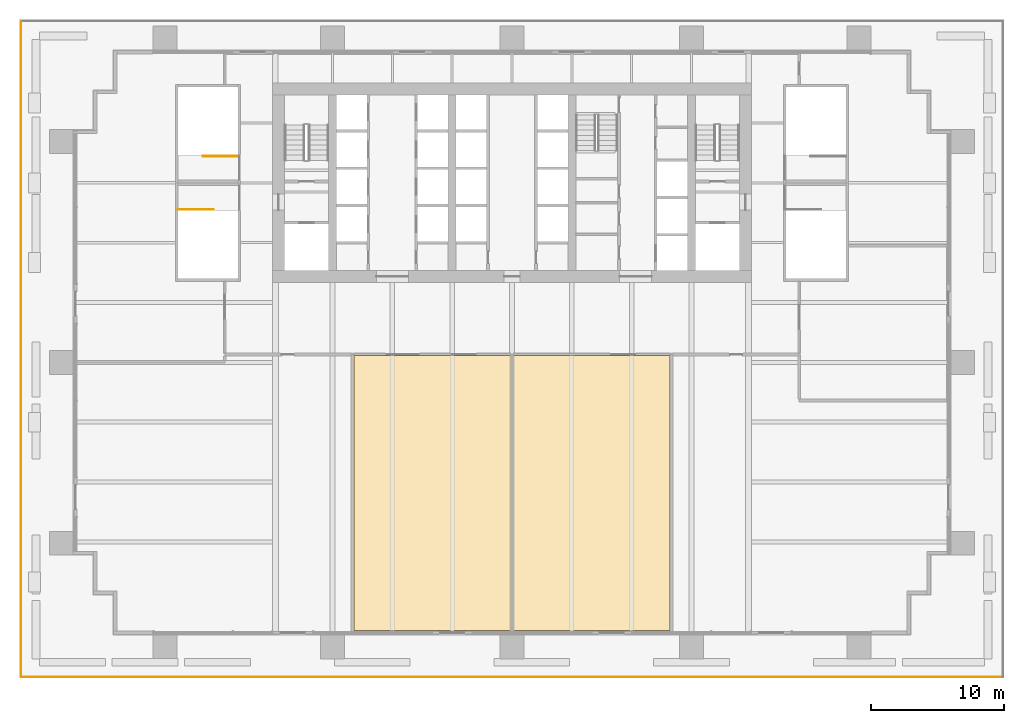
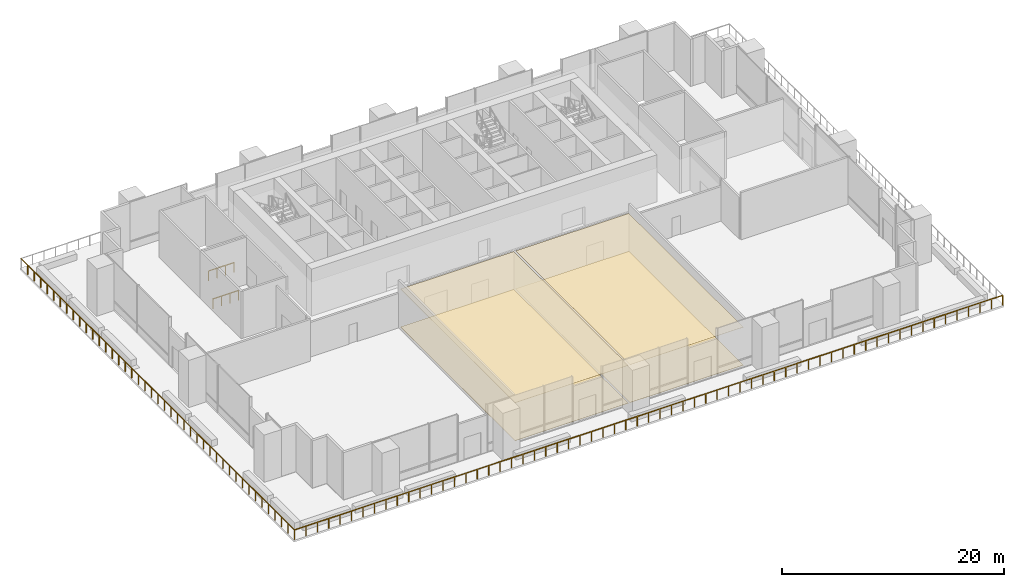
# One storey, part 12 of 16: 4 coverings, 4 railings.
"""IFC4 building model written with IfcOpenShell, lengths in metres."""

from ifc_helpers import new_model, si_unit, direction, frame, origin, origin_2d, place, context, subcontext, project, spatial, polyline, rectangle, outline, extrude, material, layer, layer_set, type_object, element, save


model = new_model("IFC4")

# Units and contexts
model_context = context("Model", 3, precision=1e-05, world=origin(), true_north=direction((0.0, 1.0)))
body_context = subcontext(model_context, "Body", "Model", "MODEL_VIEW")
ifc_project = project(units=[si_unit("LENGTHUNIT", "METRE"), si_unit("AREAUNIT", "SQUARE_METRE"), si_unit("VOLUMEUNIT", "CUBIC_METRE"), si_unit("PLANEANGLEUNIT", "RADIAN"), si_unit("MASSUNIT", "GRAM", prefix="KILO")], contexts=[model_context])

# Site, building, storey
site_placement = place(None, origin())
site = spatial("IfcSite", under=ifc_project, at=site_placement, CompositionType="ELEMENT")
building_placement = place(site_placement, origin())
building = spatial("IfcBuilding", under=site, at=building_placement, Name="Rattan Terrace Tower", CompositionType="ELEMENT")
storey_placement = place(building_placement, frame((0.0, 0.0, 27.0)))
storey = spatial("IfcBuildingStorey", under=building, at=storey_placement, Name="L05", CompositionType="ELEMENT", Elevation=27.0)

# Railings
ifc_material_1 = material(Name="Powder-coated steel guard", Category="steel")
railing_type_1 = type_object("IfcRailingType", Name="Core stair guard", PredefinedType="GUARDRAIL", material=ifc_material_1)
railing_1_placement = place(storey_placement, frame((-25.10009765625, -2.0, 0.0)))
element("IfcRailing", 1, at=railing_1_placement, inside=storey, type_object=railing_type_1, Name="L05 S4 top well guard 1", PredefinedType="GUARDRAIL", context=body_context, shape_type="SweptSolid", body=[
    extrude(rectangle(XDim=0.048095703125, YDim=0.048095703125, at=origin_2d()), frame((0.0, 0.0, 1.076171875), z_axis=(1.0, 0.0, 0.0), x_axis=(0.0, 1.0, 0.0)), (0.0, 0.0, 1.0), 2.650146484375),
    extrude(rectangle(XDim=0.0419921875, YDim=0.0419921875, at=origin_2d()), origin(), (0.0, 0.0, 1.0), 1.052001953125),
    extrude(rectangle(XDim=0.0419921875, YDim=0.0419921875, at=origin_2d()), frame((0.88330078125, 0.0, 0.0)), (0.0, 0.0, 1.0), 1.052001953125),
    extrude(rectangle(XDim=0.0419921875, YDim=0.0419921875, at=origin_2d()), frame((1.766845703125, 0.0, 0.0)), (0.0, 0.0, 1.0), 1.052001953125),
    extrude(rectangle(XDim=0.0419921875, YDim=0.0419921875, at=origin_2d()), frame((2.650146484375, 0.0, 0.0)), (0.0, 0.0, 1.0), 1.052001953125),
])
railing_2_placement = place(storey_placement, frame((-20.60009765625, 2.0, 0.0)))
element("IfcRailing", 2, at=railing_2_placement, inside=storey, type_object=railing_type_1, Name="L05 S5 top well guard 1", PredefinedType="GUARDRAIL", context=body_context, shape_type="SweptSolid", body=[
    extrude(rectangle(XDim=0.048095703125, YDim=0.048095703125, at=origin_2d()), frame((0.0, 0.0, 1.076171875), z_axis=(-1.0, 0.0, 0.0), x_axis=(0.0, -1.0, 0.0)), (0.0, 0.0, 1.0), 2.64990234375),
    extrude(rectangle(XDim=0.0419921875, YDim=0.0419921875, at=origin_2d()), origin(), (0.0, 0.0, 1.0), 1.052001953125),
    extrude(rectangle(XDim=0.0419921875, YDim=0.0419921875, at=origin_2d()), frame((-0.88330078125, 0.0, 0.0)), (0.0, 0.0, 1.0), 1.052001953125),
    extrude(rectangle(XDim=0.0419921875, YDim=0.0419921875, at=origin_2d()), frame((-1.7666015625, 0.0, 0.0)), (0.0, 0.0, 1.0), 1.052001953125),
    extrude(rectangle(XDim=0.0419921875, YDim=0.0419921875, at=origin_2d()), frame((-2.64990234375, 0.0, 0.0)), (0.0, 0.0, 1.0), 1.052001953125),
])
ifc_material_2 = material(Name="Stainless steel 316", Category="steel")
railing_type_2 = type_object("IfcRailingType", Name="Facade Guard 1100", PredefinedType="GUARDRAIL", material=ifc_material_2)
railing_3_placement = place(storey_placement, frame((-36.919921875, -37.169921875, 0.0)))
element("IfcRailing", 3, at=railing_3_placement, inside=storey, type_object=railing_type_2, Name="Terrace guard L05-1-1", PredefinedType="GUARDRAIL", context=body_context, shape_type="SweptSolid", body=[
    extrude(rectangle(XDim=0.048095703125, YDim=0.048095703125, at=origin_2d()), frame((0.0, 0.0, 1.076171875), z_axis=(0.0, 1.0, 0.0), x_axis=(-1.0, 0.0, 0.0)), (0.0, 0.0, 1.0), 49.33984375),
    extrude(rectangle(XDim=0.0419921875, YDim=0.0419921875, at=origin_2d()), origin(), (0.0, 0.0, 1.0), 1.052001953125),
    extrude(rectangle(XDim=0.0419921875, YDim=0.0419921875, at=origin_2d()), frame((0.0, 1.1748046875, 0.0)), (0.0, 0.0, 1.0), 1.052001953125),
    extrude(rectangle(XDim=0.0419921875, YDim=0.0419921875, at=origin_2d()), frame((0.0, 2.349609375, 0.0)), (0.0, 0.0, 1.0), 1.052001953125),
    extrude(rectangle(XDim=0.0419921875, YDim=0.0419921875, at=origin_2d()), frame((0.0, 3.524169921875, 0.0)), (0.0, 0.0, 1.0), 1.052001953125),
    extrude(rectangle(XDim=0.0419921875, YDim=0.0419921875, at=origin_2d()), frame((0.0, 4.698974609375, 0.0)), (0.0, 0.0, 1.0), 1.052001953125),
    extrude(rectangle(XDim=0.0419921875, YDim=0.0419921875, at=origin_2d()), frame((0.0, 5.873779296875, 0.0)), (0.0, 0.0, 1.0), 1.052001953125),
    extrude(rectangle(XDim=0.0419921875, YDim=0.0419921875, at=origin_2d()), frame((0.0, 7.048583984375, 0.0)), (0.0, 0.0, 1.0), 1.052001953125),
    extrude(rectangle(XDim=0.0419921875, YDim=0.0419921875, at=origin_2d()), frame((0.0, 8.223388671875, 0.0)), (0.0, 0.0, 1.0), 1.052001953125),
    extrude(rectangle(XDim=0.0419921875, YDim=0.0419921875, at=origin_2d()), frame((0.0, 9.39794921875, 0.0)), (0.0, 0.0, 1.0), 1.052001953125),
    extrude(rectangle(XDim=0.0419921875, YDim=0.0419921875, at=origin_2d()), frame((0.0, 10.57275390625, 0.0)), (0.0, 0.0, 1.0), 1.052001953125),
    extrude(rectangle(XDim=0.0419921875, YDim=0.0419921875, at=origin_2d()), frame((0.0, 11.74755859375, 0.0)), (0.0, 0.0, 1.0), 1.052001953125),
    extrude(rectangle(XDim=0.0419921875, YDim=0.0419921875, at=origin_2d()), frame((0.0, 12.92236328125, 0.0)), (0.0, 0.0, 1.0), 1.052001953125),
    extrude(rectangle(XDim=0.0419921875, YDim=0.0419921875, at=origin_2d()), frame((0.0, 14.09716796875, 0.0)), (0.0, 0.0, 1.0), 1.052001953125),
    extrude(rectangle(XDim=0.0419921875, YDim=0.0419921875, at=origin_2d()), frame((0.0, 15.27197265625, 0.0)), (0.0, 0.0, 1.0), 1.052001953125),
    extrude(rectangle(XDim=0.0419921875, YDim=0.0419921875, at=origin_2d()), frame((0.0, 16.446533203125, 0.0)), (0.0, 0.0, 1.0), 1.052001953125),
    extrude(rectangle(XDim=0.0419921875, YDim=0.0419921875, at=origin_2d()), frame((0.0, 17.621337890625, 0.0)), (0.0, 0.0, 1.0), 1.052001953125),
    extrude(rectangle(XDim=0.0419921875, YDim=0.0419921875, at=origin_2d()), frame((0.0, 18.796142578125, 0.0)), (0.0, 0.0, 1.0), 1.052001953125),
    extrude(rectangle(XDim=0.0419921875, YDim=0.0419921875, at=origin_2d()), frame((0.0, 19.970947265625, 0.0)), (0.0, 0.0, 1.0), 1.052001953125),
    extrude(rectangle(XDim=0.0419921875, YDim=0.0419921875, at=origin_2d()), frame((0.0, 21.145751953125, 0.0)), (0.0, 0.0, 1.0), 1.052001953125),
    extrude(rectangle(XDim=0.0419921875, YDim=0.0419921875, at=origin_2d()), frame((0.0, 22.3203125, 0.0)), (0.0, 0.0, 1.0), 1.052001953125),
    extrude(rectangle(XDim=0.0419921875, YDim=0.0419921875, at=origin_2d()), frame((0.0, 23.4951171875, 0.0)), (0.0, 0.0, 1.0), 1.052001953125),
    extrude(rectangle(XDim=0.0419921875, YDim=0.0419921875, at=origin_2d()), frame((0.0, 24.669921875, 0.0)), (0.0, 0.0, 1.0), 1.052001953125),
    extrude(rectangle(XDim=0.0419921875, YDim=0.0419921875, at=origin_2d()), frame((0.0, 25.8447265625, 0.0)), (0.0, 0.0, 1.0), 1.052001953125),
    extrude(rectangle(XDim=0.0419921875, YDim=0.0419921875, at=origin_2d()), frame((0.0, 27.01953125, 0.0)), (0.0, 0.0, 1.0), 1.052001953125),
    extrude(rectangle(XDim=0.0419921875, YDim=0.0419921875, at=origin_2d()), frame((0.0, 28.194091796875, 0.0)), (0.0, 0.0, 1.0), 1.052001953125),
    extrude(rectangle(XDim=0.0419921875, YDim=0.0419921875, at=origin_2d()), frame((0.0, 29.368896484375, 0.0)), (0.0, 0.0, 1.0), 1.052001953125),
    extrude(rectangle(XDim=0.0419921875, YDim=0.0419921875, at=origin_2d()), frame((0.0, 30.543701171875, 0.0)), (0.0, 0.0, 1.0), 1.052001953125),
    extrude(rectangle(XDim=0.0419921875, YDim=0.0419921875, at=origin_2d()), frame((0.0, 31.718505859375, 0.0)), (0.0, 0.0, 1.0), 1.052001953125),
    extrude(rectangle(XDim=0.0419921875, YDim=0.0419921875, at=origin_2d()), frame((0.0, 32.893310546875, 0.0)), (0.0, 0.0, 1.0), 1.052001953125),
    extrude(rectangle(XDim=0.0419921875, YDim=0.0419921875, at=origin_2d()), frame((0.0, 34.06787109375, 0.0)), (0.0, 0.0, 1.0), 1.052001953125),
    extrude(rectangle(XDim=0.0419921875, YDim=0.0419921875, at=origin_2d()), frame((0.0, 35.24267578125, 0.0)), (0.0, 0.0, 1.0), 1.052001953125),
    extrude(rectangle(XDim=0.0419921875, YDim=0.0419921875, at=origin_2d()), frame((0.0, 36.41748046875, 0.0)), (0.0, 0.0, 1.0), 1.052001953125),
    extrude(rectangle(XDim=0.0419921875, YDim=0.0419921875, at=origin_2d()), frame((0.0, 37.59228515625, 0.0)), (0.0, 0.0, 1.0), 1.052001953125),
    extrude(rectangle(XDim=0.0419921875, YDim=0.0419921875, at=origin_2d()), frame((0.0, 38.76708984375, 0.0)), (0.0, 0.0, 1.0), 1.052001953125),
    extrude(rectangle(XDim=0.0419921875, YDim=0.0419921875, at=origin_2d()), frame((0.0, 39.94189453125, 0.0)), (0.0, 0.0, 1.0), 1.052001953125),
    extrude(rectangle(XDim=0.0419921875, YDim=0.0419921875, at=origin_2d()), frame((0.0, 41.116455078125, 0.0)), (0.0, 0.0, 1.0), 1.052001953125),
    extrude(rectangle(XDim=0.0419921875, YDim=0.0419921875, at=origin_2d()), frame((0.0, 42.291259765625, 0.0)), (0.0, 0.0, 1.0), 1.052001953125),
    extrude(rectangle(XDim=0.0419921875, YDim=0.0419921875, at=origin_2d()), frame((0.0, 43.466064453125, 0.0)), (0.0, 0.0, 1.0), 1.052001953125),
    extrude(rectangle(XDim=0.0419921875, YDim=0.0419921875, at=origin_2d()), frame((0.0, 44.640869140625, 0.0)), (0.0, 0.0, 1.0), 1.052001953125),
    extrude(rectangle(XDim=0.0419921875, YDim=0.0419921875, at=origin_2d()), frame((0.0, 45.815673828125, 0.0)), (0.0, 0.0, 1.0), 1.052001953125),
    extrude(rectangle(XDim=0.0419921875, YDim=0.0419921875, at=origin_2d()), frame((0.0, 46.990234375, 0.0)), (0.0, 0.0, 1.0), 1.052001953125),
    extrude(rectangle(XDim=0.0419921875, YDim=0.0419921875, at=origin_2d()), frame((0.0, 48.1650390625, 0.0)), (0.0, 0.0, 1.0), 1.052001953125),
])
railing_4_placement = place(storey_placement, frame((36.919921875, -37.169921875, 0.0)))
element("IfcRailing", 4, at=railing_4_placement, inside=storey, type_object=railing_type_2, Name="Terrace guard L05-1-4", PredefinedType="GUARDRAIL", context=body_context, shape_type="SweptSolid", body=[
    extrude(rectangle(XDim=0.048095703125, YDim=0.048095703125, at=origin_2d()), frame((0.0, 0.0, 1.076171875), z_axis=(-1.0, 0.0, 0.0), x_axis=(0.0, -1.0, 0.0)), (0.0, 0.0, 1.0), 73.83984375),
    extrude(rectangle(XDim=0.0419921875, YDim=0.0419921875, at=origin_2d()), origin(), (0.0, 0.0, 1.0), 1.052001953125),
    extrude(rectangle(XDim=0.0419921875, YDim=0.0419921875, at=origin_2d()), frame((-1.19091796875, 0.0, 0.0)), (0.0, 0.0, 1.0), 1.052001953125),
    extrude(rectangle(XDim=0.0419921875, YDim=0.0419921875, at=origin_2d()), frame((-2.3818359375, 0.0, 0.0)), (0.0, 0.0, 1.0), 1.052001953125),
    extrude(rectangle(XDim=0.0419921875, YDim=0.0419921875, at=origin_2d()), frame((-3.572998046875, 0.0, 0.0)), (0.0, 0.0, 1.0), 1.052001953125),
    extrude(rectangle(XDim=0.0419921875, YDim=0.0419921875, at=origin_2d()), frame((-4.763916015625, 0.0, 0.0)), (0.0, 0.0, 1.0), 1.052001953125),
    extrude(rectangle(XDim=0.0419921875, YDim=0.0419921875, at=origin_2d()), frame((-5.954833984375, 0.0, 0.0)), (0.0, 0.0, 1.0), 1.052001953125),
    extrude(rectangle(XDim=0.0419921875, YDim=0.0419921875, at=origin_2d()), frame((-7.145751953125, 0.0, 0.0)), (0.0, 0.0, 1.0), 1.052001953125),
    extrude(rectangle(XDim=0.0419921875, YDim=0.0419921875, at=origin_2d()), frame((-8.336669921875, 0.0, 0.0)), (0.0, 0.0, 1.0), 1.052001953125),
    extrude(rectangle(XDim=0.0419921875, YDim=0.0419921875, at=origin_2d()), frame((-9.52783203125, 0.0, 0.0)), (0.0, 0.0, 1.0), 1.052001953125),
    extrude(rectangle(XDim=0.0419921875, YDim=0.0419921875, at=origin_2d()), frame((-10.71875, 0.0, 0.0)), (0.0, 0.0, 1.0), 1.052001953125),
    extrude(rectangle(XDim=0.0419921875, YDim=0.0419921875, at=origin_2d()), frame((-11.90966796875, 0.0, 0.0)), (0.0, 0.0, 1.0), 1.052001953125),
    extrude(rectangle(XDim=0.0419921875, YDim=0.0419921875, at=origin_2d()), frame((-13.1005859375, 0.0, 0.0)), (0.0, 0.0, 1.0), 1.052001953125),
    extrude(rectangle(XDim=0.0419921875, YDim=0.0419921875, at=origin_2d()), frame((-14.29150390625, 0.0, 0.0)), (0.0, 0.0, 1.0), 1.052001953125),
    extrude(rectangle(XDim=0.0419921875, YDim=0.0419921875, at=origin_2d()), frame((-15.482666015625, 0.0, 0.0)), (0.0, 0.0, 1.0), 1.052001953125),
    extrude(rectangle(XDim=0.0419921875, YDim=0.0419921875, at=origin_2d()), frame((-16.673583984375, 0.0, 0.0)), (0.0, 0.0, 1.0), 1.052001953125),
    extrude(rectangle(XDim=0.0419921875, YDim=0.0419921875, at=origin_2d()), frame((-17.864501953125, 0.0, 0.0)), (0.0, 0.0, 1.0), 1.052001953125),
    extrude(rectangle(XDim=0.0419921875, YDim=0.0419921875, at=origin_2d()), frame((-19.055419921875, 0.0, 0.0)), (0.0, 0.0, 1.0), 1.052001953125),
    extrude(rectangle(XDim=0.0419921875, YDim=0.0419921875, at=origin_2d()), frame((-20.246337890625, 0.0, 0.0)), (0.0, 0.0, 1.0), 1.052001953125),
    extrude(rectangle(XDim=0.0419921875, YDim=0.0419921875, at=origin_2d()), frame((-21.437255859375, 0.0, 0.0)), (0.0, 0.0, 1.0), 1.052001953125),
    extrude(rectangle(XDim=0.0419921875, YDim=0.0419921875, at=origin_2d()), frame((-22.62841796875, 0.0, 0.0)), (0.0, 0.0, 1.0), 1.052001953125),
    extrude(rectangle(XDim=0.0419921875, YDim=0.0419921875, at=origin_2d()), frame((-23.8193359375, 0.0, 0.0)), (0.0, 0.0, 1.0), 1.052001953125),
    extrude(rectangle(XDim=0.0419921875, YDim=0.0419921875, at=origin_2d()), frame((-25.01025390625, 0.0, 0.0)), (0.0, 0.0, 1.0), 1.052001953125),
    extrude(rectangle(XDim=0.0419921875, YDim=0.0419921875, at=origin_2d()), frame((-26.201171875, 0.0, 0.0)), (0.0, 0.0, 1.0), 1.052001953125),
    extrude(rectangle(XDim=0.0419921875, YDim=0.0419921875, at=origin_2d()), frame((-27.39208984375, 0.0, 0.0)), (0.0, 0.0, 1.0), 1.052001953125),
    extrude(rectangle(XDim=0.0419921875, YDim=0.0419921875, at=origin_2d()), frame((-28.583251953125, 0.0, 0.0)), (0.0, 0.0, 1.0), 1.052001953125),
    extrude(rectangle(XDim=0.0419921875, YDim=0.0419921875, at=origin_2d()), frame((-29.774169921875, 0.0, 0.0)), (0.0, 0.0, 1.0), 1.052001953125),
    extrude(rectangle(XDim=0.0419921875, YDim=0.0419921875, at=origin_2d()), frame((-30.965087890625, 0.0, 0.0)), (0.0, 0.0, 1.0), 1.052001953125),
    extrude(rectangle(XDim=0.0419921875, YDim=0.0419921875, at=origin_2d()), frame((-32.156005859375, 0.0, 0.0)), (0.0, 0.0, 1.0), 1.052001953125),
    extrude(rectangle(XDim=0.0419921875, YDim=0.0419921875, at=origin_2d()), frame((-33.346923828125, 0.0, 0.0)), (0.0, 0.0, 1.0), 1.052001953125),
    extrude(rectangle(XDim=0.0419921875, YDim=0.0419921875, at=origin_2d()), frame((-34.5380859375, 0.0, 0.0)), (0.0, 0.0, 1.0), 1.052001953125),
    extrude(rectangle(XDim=0.0419921875, YDim=0.0419921875, at=origin_2d()), frame((-35.72900390625, 0.0, 0.0)), (0.0, 0.0, 1.0), 1.052001953125),
    extrude(rectangle(XDim=0.0419921875, YDim=0.0419921875, at=origin_2d()), frame((-36.919921875, 0.0, 0.0)), (0.0, 0.0, 1.0), 1.052001953125),
    extrude(rectangle(XDim=0.0419921875, YDim=0.0419921875, at=origin_2d()), frame((-38.11083984375, 0.0, 0.0)), (0.0, 0.0, 1.0), 1.052001953125),
    extrude(rectangle(XDim=0.0419921875, YDim=0.0419921875, at=origin_2d()), frame((-39.3017578125, 0.0, 0.0)), (0.0, 0.0, 1.0), 1.052001953125),
    extrude(rectangle(XDim=0.0419921875, YDim=0.0419921875, at=origin_2d()), frame((-40.492919921875, 0.0, 0.0)), (0.0, 0.0, 1.0), 1.052001953125),
    extrude(rectangle(XDim=0.0419921875, YDim=0.0419921875, at=origin_2d()), frame((-41.683837890625, 0.0, 0.0)), (0.0, 0.0, 1.0), 1.052001953125),
    extrude(rectangle(XDim=0.0419921875, YDim=0.0419921875, at=origin_2d()), frame((-42.874755859375, 0.0, 0.0)), (0.0, 0.0, 1.0), 1.052001953125),
    extrude(rectangle(XDim=0.0419921875, YDim=0.0419921875, at=origin_2d()), frame((-44.065673828125, 0.0, 0.0)), (0.0, 0.0, 1.0), 1.052001953125),
    extrude(rectangle(XDim=0.0419921875, YDim=0.0419921875, at=origin_2d()), frame((-45.256591796875, 0.0, 0.0)), (0.0, 0.0, 1.0), 1.052001953125),
    extrude(rectangle(XDim=0.0419921875, YDim=0.0419921875, at=origin_2d()), frame((-46.44775390625, 0.0, 0.0)), (0.0, 0.0, 1.0), 1.052001953125),
    extrude(rectangle(XDim=0.0419921875, YDim=0.0419921875, at=origin_2d()), frame((-47.638671875, 0.0, 0.0)), (0.0, 0.0, 1.0), 1.052001953125),
    extrude(rectangle(XDim=0.0419921875, YDim=0.0419921875, at=origin_2d()), frame((-48.82958984375, 0.0, 0.0)), (0.0, 0.0, 1.0), 1.052001953125),
    extrude(rectangle(XDim=0.0419921875, YDim=0.0419921875, at=origin_2d()), frame((-50.0205078125, 0.0, 0.0)), (0.0, 0.0, 1.0), 1.052001953125),
    extrude(rectangle(XDim=0.0419921875, YDim=0.0419921875, at=origin_2d()), frame((-51.21142578125, 0.0, 0.0)), (0.0, 0.0, 1.0), 1.052001953125),
    extrude(rectangle(XDim=0.0419921875, YDim=0.0419921875, at=origin_2d()), frame((-52.402587890625, 0.0, 0.0)), (0.0, 0.0, 1.0), 1.052001953125),
    extrude(rectangle(XDim=0.0419921875, YDim=0.0419921875, at=origin_2d()), frame((-53.593505859375, 0.0, 0.0)), (0.0, 0.0, 1.0), 1.052001953125),
    extrude(rectangle(XDim=0.0419921875, YDim=0.0419921875, at=origin_2d()), frame((-54.784423828125, 0.0, 0.0)), (0.0, 0.0, 1.0), 1.052001953125),
    extrude(rectangle(XDim=0.0419921875, YDim=0.0419921875, at=origin_2d()), frame((-55.975341796875, 0.0, 0.0)), (0.0, 0.0, 1.0), 1.052001953125),
    extrude(rectangle(XDim=0.0419921875, YDim=0.0419921875, at=origin_2d()), frame((-57.166259765625, 0.0, 0.0)), (0.0, 0.0, 1.0), 1.052001953125),
    extrude(rectangle(XDim=0.0419921875, YDim=0.0419921875, at=origin_2d()), frame((-58.357177734375, 0.0, 0.0)), (0.0, 0.0, 1.0), 1.052001953125),
    extrude(rectangle(XDim=0.0419921875, YDim=0.0419921875, at=origin_2d()), frame((-59.54833984375, 0.0, 0.0)), (0.0, 0.0, 1.0), 1.052001953125),
    extrude(rectangle(XDim=0.0419921875, YDim=0.0419921875, at=origin_2d()), frame((-60.7392578125, 0.0, 0.0)), (0.0, 0.0, 1.0), 1.052001953125),
    extrude(rectangle(XDim=0.0419921875, YDim=0.0419921875, at=origin_2d()), frame((-61.93017578125, 0.0, 0.0)), (0.0, 0.0, 1.0), 1.052001953125),
    extrude(rectangle(XDim=0.0419921875, YDim=0.0419921875, at=origin_2d()), frame((-63.12109375, 0.0, 0.0)), (0.0, 0.0, 1.0), 1.052001953125),
    extrude(rectangle(XDim=0.0419921875, YDim=0.0419921875, at=origin_2d()), frame((-64.31201171875, 0.0, 0.0)), (0.0, 0.0, 1.0), 1.052001953125),
    extrude(rectangle(XDim=0.0419921875, YDim=0.0419921875, at=origin_2d()), frame((-65.503173828125, 0.0, 0.0)), (0.0, 0.0, 1.0), 1.052001953125),
    extrude(rectangle(XDim=0.0419921875, YDim=0.0419921875, at=origin_2d()), frame((-66.694091796875, 0.0, 0.0)), (0.0, 0.0, 1.0), 1.052001953125),
    extrude(rectangle(XDim=0.0419921875, YDim=0.0419921875, at=origin_2d()), frame((-67.885009765625, 0.0, 0.0)), (0.0, 0.0, 1.0), 1.052001953125),
    extrude(rectangle(XDim=0.0419921875, YDim=0.0419921875, at=origin_2d()), frame((-69.075927734375, 0.0, 0.0)), (0.0, 0.0, 1.0), 1.052001953125),
    extrude(rectangle(XDim=0.0419921875, YDim=0.0419921875, at=origin_2d()), frame((-70.266845703125, 0.0, 0.0)), (0.0, 0.0, 1.0), 1.052001953125),
    extrude(rectangle(XDim=0.0419921875, YDim=0.0419921875, at=origin_2d()), frame((-71.4580078125, 0.0, 0.0)), (0.0, 0.0, 1.0), 1.052001953125),
    extrude(rectangle(XDim=0.0419921875, YDim=0.0419921875, at=origin_2d()), frame((-72.64892578125, 0.0, 0.0)), (0.0, 0.0, 1.0), 1.052001953125),
])

# Coverings
ifc_material_3 = material(Name="Polished limestone", Category="masonry")
ifc_layer_1 = layer(ifc_material_3, 0.02001953125)
ifc_layer_set_1 = layer_set([ifc_layer_1], Name="Lobby Floor Finish Stone 20")
covering_type_1 = type_object("IfcCoveringType", Name="Lobby Floor Finish Stone 20", PredefinedType="FLOORING", material=ifc_layer_set_1)
covering_1_placement = place(storey_placement, origin())
element("IfcCovering", 5, at=covering_1_placement, inside=storey, type_object=covering_type_1, Name="Floor finish L05-104", PredefinedType="FLOORING", context=body_context, shape_type="SweptSolid", body=[
    extrude(outline(polyline([(-11.89990234375, -12.97509765625), (-11.89990234375, -33.659912109375), (-0.090087890625, -33.659912109375), (-0.090087890625, -12.97509765625), (-11.89990234375, -12.97509765625)])), origin(), (0.0, 0.0, 1.0), 0.02001953125),
])
covering_2_placement = place(storey_placement, origin())
element("IfcCovering", 6, at=covering_2_placement, inside=storey, type_object=covering_type_1, Name="Floor finish L05-105", PredefinedType="FLOORING", context=body_context, shape_type="SweptSolid", body=[
    extrude(outline(polyline([(0.090087890625, -12.97509765625), (0.090087890625, -33.659912109375), (11.89990234375, -33.659912109375), (11.89990234375, -12.97509765625), (0.090087890625, -12.97509765625)])), origin(), (0.0, 0.0, 1.0), 0.02001953125),
])
ifc_material_4 = material(Name="Gypsum board, painted")
ifc_layer_2 = layer(ifc_material_4, 0.02490234375)
ifc_layer_set_2 = layer_set([ifc_layer_2], Name="Suspended Ceiling Gypsum 25")
covering_type_2 = type_object("IfcCoveringType", Name="Suspended Ceiling Gypsum 25", PredefinedType="CEILING", material=ifc_layer_set_2)
covering_3_placement = place(storey_placement, frame((0.0, 0.0, 4.175048828125)))
element("IfcCovering", 7, at=covering_3_placement, inside=storey, type_object=covering_type_2, Name="Ceiling L05-104", PredefinedType="CEILING", context=body_context, shape_type="SweptSolid", body=[
    extrude(outline(polyline([(-11.89990234375, -12.97509765625), (-11.89990234375, -33.659912109375), (-0.090087890625, -33.659912109375), (-0.090087890625, -12.97509765625), (-11.89990234375, -12.97509765625)])), origin(), (0.0, 0.0, 1.0), 0.02490234375),
])
covering_4_placement = place(storey_placement, frame((0.0, 0.0, 4.175048828125)))
element("IfcCovering", 8, at=covering_4_placement, inside=storey, type_object=covering_type_2, Name="Ceiling L05-105", PredefinedType="CEILING", context=body_context, shape_type="SweptSolid", body=[
    extrude(outline(polyline([(0.090087890625, -12.97509765625), (0.090087890625, -33.659912109375), (11.89990234375, -33.659912109375), (11.89990234375, -12.97509765625), (0.090087890625, -12.97509765625)])), origin(), (0.0, 0.0, 1.0), 0.02490234375),
])

save(model, "model.ifc")
